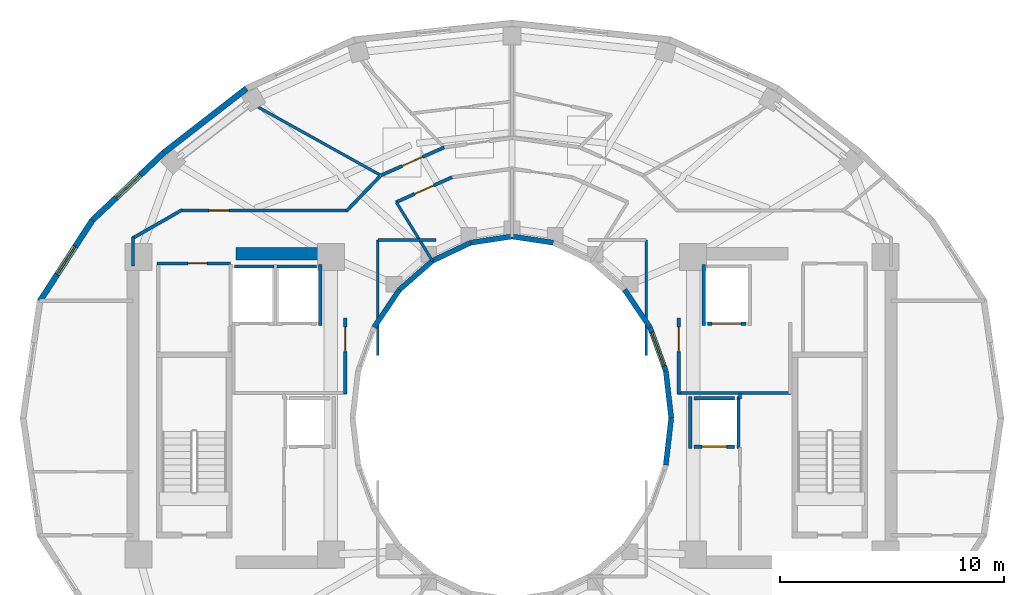
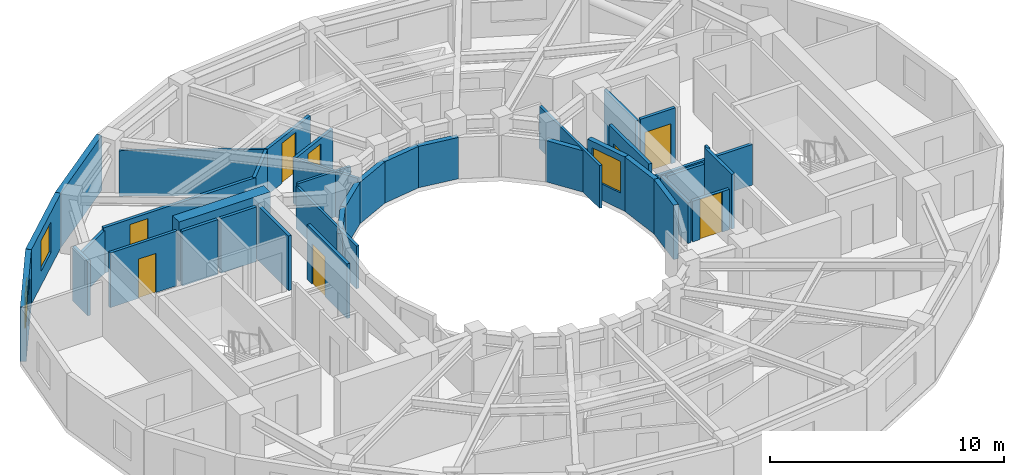
# One storey, part 5 of 9: 38 walls, 8 doors, 3 windows, 11 openings.
"""IFC4 building model written with IfcOpenShell, lengths in metres."""

from ifc_helpers import new_model, si_unit, direction, frame, frame_2d, origin, place, context, subcontext, project, spatial, rectangle, extrude, material, layer, layer_set, type_object, element, fill, save


model = new_model("IFC4")

# Units and contexts
model_context = context("Model", 3, precision=1e-05, world=origin(), true_north=direction((0.0, 1.0)))
body_context = subcontext(model_context, "Body", "Model", "MODEL_VIEW")
ifc_project = project(units=[si_unit("LENGTHUNIT", "METRE"), si_unit("AREAUNIT", "SQUARE_METRE"), si_unit("VOLUMEUNIT", "CUBIC_METRE"), si_unit("PLANEANGLEUNIT", "RADIAN"), si_unit("MASSUNIT", "GRAM", prefix="KILO")], contexts=[model_context])

# Site, building, storey
site_placement = place(None, origin())
site = spatial("IfcSite", under=ifc_project, at=site_placement, CompositionType="ELEMENT")
building_placement = place(site_placement, origin())
building = spatial("IfcBuilding", under=site, at=building_placement, Name="Solvane Sanctuary Tower", CompositionType="ELEMENT")
storey_placement = place(building_placement, frame((0.0, 0.0, 223.300048828125)))
storey = spatial("IfcBuildingStorey", under=building, at=storey_placement, Name="L68", CompositionType="ELEMENT", Elevation=223.300048828125)

# Wall
ifc_material_1 = material(Name="Concrete C50/60", Category="concrete")
ifc_layer_1 = layer(ifc_material_1, 0.550048828125, Name="Concrete C50/60")
ifc_layer_set_1 = layer_set([ifc_layer_1], Name="Concrete C50/60")
wall_type_1 = type_object("IfcWallType", Name="Wall W-CORE-550", PredefinedType="SHEAR", material=ifc_layer_set_1)
wall_1_placement = place(storey_placement, frame((19.64990234375, 30.35009765625, 0.0), z_axis=(0.0, 0.0, 1.0), x_axis=(1.0, 0.0, 0.0)))
element("IfcWall", 1, at=wall_1_placement, inside=storey, type_object=wall_type_1, Name="L68 Core Shear Wall WC-N", PredefinedType="SHEAR", context=body_context, shape_type="SweptSolid", body=[
    extrude(rectangle(XDim=4.5, YDim=0.550048828125, at=frame_2d((2.25, 0.0))), origin(), (0.0, 0.0, 1.0), 3.099853515625),
])

# Wall, opening, door
ifc_material_2 = material(Name="Acoustic Gypsum Partition Board")
ifc_layer_2 = layer(ifc_material_2, 0.14990234375, Name="Acoustic Gypsum Partition Board")
ifc_layer_set_2 = layer_set([ifc_layer_2], Name="Acoustic Gypsum Partition Board")
wall_type_2 = type_object("IfcWallType", Name="Wall W-CORR-150", PredefinedType="PARTITIONING", material=ifc_layer_set_2)
wall_2_placement = place(storey_placement, frame((24.550048828125, 24.080078125, 0.0), z_axis=(0.0, 0.0, 1.0), x_axis=(0.0, 1.0, 0.0)))
wall_2 = element("IfcWall", 2, at=wall_2_placement, inside=storey, type_object=wall_type_2, Name="L68 West Firefighting Lobby East Wall", PredefinedType="PARTITIONING", context=body_context, shape_type="SweptSolid", body=[
    extrude(rectangle(XDim=3.39990234375, YDim=0.14990234375, at=frame_2d((1.699951171875, 0.0))), origin(), (0.0, 0.0, 1.0), 2.85498046875),
])
opening_1_placement = place(wall_2_placement, frame((1.893798828125, 0.0, 0.0)))
opening_1 = element("IfcOpeningElement", 3, at=opening_1_placement, cuts=wall_2, Name="Opening D-L68-03", PredefinedType="OPENING", context=body_context, shape_type="SweptSolid", body=[
    extrude(rectangle(XDim=1.10009765625, YDim=2.10009765625, at=frame_2d((0.550048828125, 1.050048828125))), frame((0.0, 0.0849609375, 0.0), z_axis=(0.0, -1.0, 0.0), x_axis=(1.0, 0.0, 0.0)), (0.0, 0.0, 1.0), 0.169921875),
])
ifc_material_3 = material(Name="Architectural Stainless Steel 316", Category="steel")
door_type_1 = type_object("IfcDoorType", Name="Door D-FFL", OperationType="NOTDEFINED", PredefinedType="DOOR", material=ifc_material_3)
door_1_placement = place(opening_1_placement, origin())
door_1 = element("IfcDoor", 4, at=door_1_placement, inside=storey, type_object=door_type_1, Name="L68 West Firefighting Lobby Fire Door", OperationType="SINGLE_SWING_RIGHT", OverallHeight=2.10009765625, OverallWidth=1.10009765625, PredefinedType="DOOR", context=body_context, shape_type="SweptSolid", body=[
    extrude(rectangle(XDim=1.10009765625, YDim=2.10009765625, at=frame_2d((0.550048828125, 1.050048828125))), frame((0.0, 0.02490234375, 0.0), z_axis=(0.0, -1.0, 0.0), x_axis=(1.0, 0.0, 0.0)), (0.0, 0.0, 1.0), 0.050048828125),
])
fill(opening_1, door_1)

# Wall
wall_3_placement = place(storey_placement, frame((39.39990234375, 24.1201171875, 0.0), z_axis=(0.0, 0.0, 1.0), x_axis=(1.0, 0.0, 0.0)))
element("IfcWall", 5, at=wall_3_placement, inside=storey, type_object=wall_type_2, Name="L68 East Firefighting Lobby South Wall", PredefinedType="PARTITIONING", context=body_context, shape_type="SweptSolid", body=[
    extrude(rectangle(XDim=5.080078125, YDim=0.14990234375, at=frame_2d((2.5400390625, 0.0))), origin(), (0.0, 0.0, 1.0), 2.119873046875),
])

# Wall, opening, door
wall_4_placement = place(storey_placement, frame((39.449951171875, 24.080078125, 0.0), z_axis=(0.0, 0.0, 1.0), x_axis=(0.0, 1.0, 0.0)))
wall_4 = element("IfcWall", 6, at=wall_4_placement, inside=storey, type_object=wall_type_2, Name="L68 East Firefighting Lobby West Wall", PredefinedType="PARTITIONING", context=body_context, shape_type="SweptSolid", body=[
    extrude(rectangle(XDim=3.39990234375, YDim=0.14990234375, at=frame_2d((1.699951171875, 0.0))), origin(), (0.0, 0.0, 1.0), 2.85498046875),
])
opening_2_placement = place(wall_4_placement, frame((1.893798828125, 0.0, 0.0)))
opening_2 = element("IfcOpeningElement", 7, at=opening_2_placement, cuts=wall_4, Name="Opening D-L68-04", PredefinedType="OPENING", context=body_context, shape_type="SweptSolid", body=[
    extrude(rectangle(XDim=1.10009765625, YDim=2.10009765625, at=frame_2d((0.550048828125, 1.050048828125))), frame((0.0, 0.0849609375, 0.0), z_axis=(0.0, -1.0, 0.0), x_axis=(1.0, 0.0, 0.0)), (0.0, 0.0, 1.0), 0.169921875),
])
door_2_placement = place(opening_2_placement, origin())
door_2 = element("IfcDoor", 8, at=door_2_placement, inside=storey, type_object=door_type_1, Name="L68 East Firefighting Lobby Fire Door", OperationType="SINGLE_SWING_LEFT", OverallHeight=2.10009765625, OverallWidth=1.10009765625, PredefinedType="DOOR", context=body_context, shape_type="SweptSolid", body=[
    extrude(rectangle(XDim=1.10009765625, YDim=2.10009765625, at=frame_2d((0.550048828125, 1.050048828125))), frame((0.0, 0.02490234375, 0.0), z_axis=(0.0, -1.0, 0.0), x_axis=(1.0, 0.0, 0.0)), (0.0, 0.0, 1.0), 0.050048828125),
])
fill(opening_2, door_2)

wall_5_placement = place(storey_placement, frame((29.322998046875, 33.7705078125, 0.0), z_axis=(0.0, 0.0, 1.0), x_axis=(-0.913120130558, -0.407690602257, 0.0)))
wall_5 = element("IfcWall", 9, at=wall_5_placement, inside=storey, type_object=wall_type_2, Name="L68 Light-Well Alcove Corridor Wall 2", PredefinedType="PARTITIONING", context=body_context, shape_type="SweptSolid", body=[
    extrude(rectangle(XDim=2.74267578125, YDim=0.14990234375, at=frame_2d((1.371337890625, 0.0))), origin(), (0.0, 0.0, 1.0), 2.3759765625),
])
opening_3_placement = place(wall_5_placement, frame((0.896240234375, 0.0, 0.0)))
opening_3 = element("IfcOpeningElement", 10, at=opening_3_placement, cuts=wall_5, Name="Opening D-L68-10", PredefinedType="OPENING", context=body_context, shape_type="SweptSolid", body=[
    extrude(rectangle(XDim=0.949951171875, YDim=2.10009765625, at=frame_2d((0.47509765625, 1.050048828125))), frame((0.0, 0.0849609375, 0.0), z_axis=(0.0, -1.0, 0.0), x_axis=(1.0, 0.0, 0.0)), (0.0, 0.0, 1.0), 0.169921875),
])
ifc_material_4 = material(Name="Engineered Tropical Hardwood", Category="wood")
door_type_2 = type_object("IfcDoorType", Name="Door D-ROOM-950", OperationType="NOTDEFINED", PredefinedType="DOOR", material=ifc_material_4)
door_3_placement = place(opening_3_placement, origin())
door_3 = element("IfcDoor", 11, at=door_3_placement, inside=storey, type_object=door_type_2, Name="L68 Light-Well Alcove Door 2", OperationType="SINGLE_SWING_LEFT", OverallHeight=2.10009765625, OverallWidth=0.949951171875, PredefinedType="DOOR", context=body_context, shape_type="SweptSolid", body=[
    extrude(rectangle(XDim=0.949951171875, YDim=2.10009765625, at=frame_2d((0.47509765625, 1.050048828125))), frame((0.0, 0.02490234375, 0.0), z_axis=(0.0, -1.0, 0.0), x_axis=(1.0, 0.0, 0.0)), (0.0, 0.0, 1.0), 0.050048828125),
])
fill(opening_3, door_3)

# Walls
wall_6_placement = place(storey_placement, frame((15.050048828125, 29.800048828125, 0.0), z_axis=(0.0, 0.0, 1.0), x_axis=(0.0, 1.0, 0.0)))
element("IfcWall", 12, at=wall_6_placement, inside=storey, type_object=wall_type_2, Name="L68 NW Corner Closer 1", PredefinedType="PARTITIONING", context=body_context, shape_type="SweptSolid", body=[
    extrude(rectangle(XDim=1.2900390625, YDim=0.14990234375, at=frame_2d((0.64501953125, 0.0))), origin(), (0.0, 0.0, 1.0), 2.85498046875),
])
wall_7_placement = place(storey_placement, frame((26.0966796875, 33.811767578125, 0.0), z_axis=(0.0, 0.0, 1.0), x_axis=(-0.694032962553, -0.719943224768, 0.0)))
element("IfcWall", 13, at=wall_7_placement, inside=storey, type_object=wall_type_2, Name="L68 NW Corner Throat Wall", PredefinedType="PARTITIONING", context=body_context, shape_type="SweptSolid", body=[
    extrude(rectangle(XDim=2.15771484375, YDim=0.14990234375, at=frame_2d((1.078857421875, 0.0))), origin(), (0.0, 0.0, 1.0), 2.3759765625),
])

# Wall, opening, door
wall_8_placement = place(storey_placement, frame((17.14990234375, 32.280029296875, 0.0), z_axis=(0.0, 0.0, 1.0), x_axis=(1.0, 0.0, 0.0)))
wall_8 = element("IfcWall", 14, at=wall_8_placement, inside=storey, type_object=wall_type_2, Name="L68 NW Corner Corridor Wall", PredefinedType="PARTITIONING", context=body_context, shape_type="SweptSolid", body=[
    extrude(rectangle(XDim=7.52001953125, YDim=0.14990234375, at=frame_2d((3.760009765625, 0.0))), origin(), (0.0, 0.0, 1.0), 2.3759765625),
])
opening_4_placement = place(wall_8_placement, frame((1.300048828125, 0.0, 0.0)))
opening_4 = element("IfcOpeningElement", 15, at=opening_4_placement, cuts=wall_8, Name="Opening D-L68-19", PredefinedType="OPENING", context=body_context, shape_type="SweptSolid", body=[
    extrude(rectangle(XDim=0.89990234375, YDim=2.10009765625, at=frame_2d((0.449951171875, 1.050048828125))), frame((0.0, 0.0849609375, 0.0), z_axis=(0.0, -1.0, 0.0), x_axis=(1.0, 0.0, 0.0)), (0.0, 0.0, 1.0), 0.169921875),
])
door_type_3 = type_object("IfcDoorType", Name="Door D-WET-900", OperationType="NOTDEFINED", PredefinedType="DOOR", material=ifc_material_4)
door_4_placement = place(opening_4_placement, origin())
door_4 = element("IfcDoor", 16, at=door_4_placement, inside=storey, type_object=door_type_3, Name="L68 NW Corner Salon Door", OperationType="SINGLE_SWING_RIGHT", OverallHeight=2.10009765625, OverallWidth=0.89990234375, PredefinedType="DOOR", context=body_context, shape_type="SweptSolid", body=[
    extrude(rectangle(XDim=0.89990234375, YDim=2.10009765625, at=frame_2d((0.449951171875, 1.050048828125))), frame((0.0, 0.02490234375, 0.0), z_axis=(0.0, -1.0, 0.0), x_axis=(1.0, 0.0, 0.0)), (0.0, 0.0, 1.0), 0.050048828125),
])
fill(opening_4, door_4)

# Wall
wall_9_placement = place(storey_placement, frame((17.243408203125, 32.3046875, 0.0), z_axis=(0.0, 0.0, 1.0), x_axis=(-0.867991349648, -0.496579315857, 0.0)))
element("IfcWall", 17, at=wall_9_placement, inside=storey, type_object=wall_type_2, Name="L68 NW Corner Wing Wall", PredefinedType="PARTITIONING", context=body_context, shape_type="SweptSolid", body=[
    extrude(rectangle(XDim=2.56689453125, YDim=0.14990234375, at=frame_2d((1.283447265625, 0.0))), origin(), (0.0, 0.0, 1.0), 2.219970703125),
])

# Wall, opening, door
wall_10_placement = place(storey_placement, frame((28.971923828125, 35.105224609375, 0.0), z_axis=(0.0, 0.0, 1.0), x_axis=(-0.914490094652, -0.40460828808, 0.0)))
wall_10 = element("IfcWall", 18, at=wall_10_placement, inside=storey, type_object=wall_type_2, Name="L68 Unit Corridor Wall N3", PredefinedType="PARTITIONING", context=body_context, shape_type="SweptSolid", body=[
    extrude(rectangle(XDim=3.10986328125, YDim=0.14990234375, at=frame_2d((1.554931640625, 0.0))), origin(), (0.0, 0.0, 1.0), 2.3759765625),
])
opening_5_placement = place(wall_10_placement, frame((1.054931640625, 0.0, 0.0)))
opening_5 = element("IfcOpeningElement", 19, at=opening_5_placement, cuts=wall_10, Name="Opening D-L68-26", PredefinedType="OPENING", context=body_context, shape_type="SweptSolid", body=[
    extrude(rectangle(XDim=1.0, YDim=2.10009765625, at=frame_2d((0.5, 1.050048828125))), frame((0.0, 0.0849609375, 0.0), z_axis=(0.0, -1.0, 0.0), x_axis=(1.0, 0.0, 0.0)), (0.0, 0.0, 1.0), 0.169921875),
])
door_type_4 = type_object("IfcDoorType", Name="Door D-UNIT", OperationType="NOTDEFINED", PredefinedType="DOOR", material=ifc_material_4)
door_5_placement = place(opening_5_placement, origin())
door_5 = element("IfcDoor", 20, at=door_5_placement, inside=storey, type_object=door_type_4, Name="L68 Unit Entrance Door N3", OperationType="SINGLE_SWING_LEFT", OverallHeight=2.10009765625, OverallWidth=1.0, PredefinedType="DOOR", context=body_context, shape_type="SweptSolid", body=[
    extrude(rectangle(XDim=1.0, YDim=2.10009765625, at=frame_2d((0.5, 1.050048828125))), frame((0.0, 0.02490234375, 0.0), z_axis=(0.0, -1.0, 0.0), x_axis=(1.0, 0.0, 0.0)), (0.0, 0.0, 1.0), 0.050048828125),
])
fill(opening_5, door_5)

# Wall
ifc_material_5 = material(Name="Precast concrete C40/50", Category="concrete")
ifc_layer_3 = layer(ifc_material_5, 0.260009765625, Name="Precast concrete C40/50")
ifc_layer_set_3 = layer_set([ifc_layer_3], Name="Precast concrete C40/50")
wall_type_3 = type_object("IfcWallType", Name="Wall W-EXT-250", PredefinedType="STANDARD", material=ifc_layer_set_3)
wall_11_placement = place(storey_placement, frame((20.1298828125, 37.732666015625, 0.0), z_axis=(0.0, 0.0, 1.0), x_axis=(-0.790126214723, -0.612944177563, 0.0)))
element("IfcWall", 21, at=wall_11_placement, inside=storey, type_object=wall_type_3, Name="L68 Ceramic-Printed Facade Wall 08", PredefinedType="STANDARD", context=body_context, shape_type="SweptSolid", body=[
    extrude(rectangle(XDim=4.6669921875, YDim=0.260009765625, at=frame_2d((2.33349609375, 0.0))), origin(), (0.0, 0.0, 1.0), 2.849853515625),
])

# Wall, opening, window
wall_12_placement = place(storey_placement, frame((16.4423828125, 34.8720703125, 0.0), z_axis=(0.0, 0.0, 1.0), x_axis=(-0.72731899451, -0.686299555752, 0.0)))
wall_12 = element("IfcWall", 22, at=wall_12_placement, inside=storey, type_object=wall_type_3, Name="L68 Ceramic-Printed Facade Wall 09", PredefinedType="STANDARD", context=body_context, shape_type="SweptSolid", body=[
    extrude(rectangle(XDim=4.404296875, YDim=0.260009765625, at=frame_2d((2.2021484375, 0.0))), origin(), (0.0, 0.0, 1.0), 2.849853515625),
])
opening_6_placement = place(wall_12_placement, frame((1.4521484375, 0.0, 0.75)))
opening_6 = element("IfcOpeningElement", 23, at=opening_6_placement, cuts=wall_12, Name="Opening WN-OPER-1500", PredefinedType="OPENING", context=body_context, shape_type="SweptSolid", body=[
    extrude(rectangle(XDim=1.5, YDim=1.60009765625, at=frame_2d((0.75, 0.800048828125))), frame((0.0, 0.139892578125, 0.0), z_axis=(0.0, -1.0, 0.0), x_axis=(1.0, 0.0, 0.0)), (0.0, 0.0, 1.0), 0.280029296875),
])
ifc_material_6 = material(Name="Dark Ceramic-Fritted Low-E Glass", Category="glass")
window_type_1 = type_object("IfcWindowType", Name="Window WN-OPER-1500", PartitioningType="SINGLE_PANEL", PredefinedType="WINDOW", material=ifc_material_6)
window_1_placement = place(opening_6_placement, origin())
window_1 = element("IfcWindow", 24, at=window_1_placement, inside=storey, type_object=window_type_1, Name="L68 Operable Facade Window 09", OverallHeight=1.60009765625, OverallWidth=1.5, PartitioningType="SINGLE_PANEL", PredefinedType="WINDOW", context=body_context, shape_type="SweptSolid", body=[
    extrude(rectangle(XDim=1.5, YDim=1.60009765625, at=frame_2d((0.75, 0.800048828125))), frame((0.0, 0.030029296875, 0.0), z_axis=(0.0, -1.0, 0.0), x_axis=(1.0, 0.0, 0.0)), (0.0, 0.0, 1.0), 0.06005859375),
])
fill(opening_6, window_1)

wall_13_placement = place(storey_placement, frame((13.239013671875, 31.849365234375, 0.0), z_axis=(0.0, 0.0, 1.0), x_axis=(-0.544475908819, -0.838776480784, 0.0)))
wall_13 = element("IfcWall", 25, at=wall_13_placement, inside=storey, type_object=wall_type_3, Name="L68 Ceramic-Printed Facade Wall 10", PredefinedType="STANDARD", context=body_context, shape_type="SweptSolid", body=[
    extrude(rectangle(XDim=4.3046875, YDim=0.260009765625, at=frame_2d((2.15234375, 0.0))), origin(), (0.0, 0.0, 1.0), 2.849853515625),
])
opening_7_placement = place(wall_13_placement, frame((1.40234375, 0.0, 0.75)))
opening_7 = element("IfcOpeningElement", 26, at=opening_7_placement, cuts=wall_13, Name="Opening WN-OPER-1500", PredefinedType="OPENING", context=body_context, shape_type="SweptSolid", body=[
    extrude(rectangle(XDim=1.5, YDim=1.60009765625, at=frame_2d((0.75, 0.800048828125))), frame((0.0, 0.139892578125, 0.0), z_axis=(0.0, -1.0, 0.0), x_axis=(1.0, 0.0, 0.0)), (0.0, 0.0, 1.0), 0.280029296875),
])
window_2_placement = place(opening_7_placement, origin())
window_2 = element("IfcWindow", 27, at=window_2_placement, inside=storey, type_object=window_type_1, Name="L68 Operable Facade Window 10", OverallHeight=1.60009765625, OverallWidth=1.5, PartitioningType="SINGLE_PANEL", PredefinedType="WINDOW", context=body_context, shape_type="SweptSolid", body=[
    extrude(rectangle(XDim=1.5, YDim=1.60009765625, at=frame_2d((0.75, 0.800048828125))), frame((0.0, 0.030029296875, 0.0), z_axis=(0.0, -1.0, 0.0), x_axis=(1.0, 0.0, 0.0)), (0.0, 0.0, 1.0), 0.06005859375),
])
fill(opening_7, window_2)

# Wall
ifc_layer_4 = layer(ifc_material_5, 0.22998046875, Name="Precast concrete C40/50")
ifc_layer_set_4 = layer_set([ifc_layer_4], Name="Precast concrete C40/50")
wall_type_4 = type_object("IfcWallType", Name="Wall W-EXT-SP220", PredefinedType="STANDARD", material=ifc_layer_set_4)
wall_14_placement = place(storey_placement, frame((39.1201171875, 23.0, 0.0), z_axis=(0.0, 0.0, 1.0), x_axis=(-0.114711713601, 0.993398823617, 0.0)))
element("IfcWall", 28, at=wall_14_placement, inside=storey, type_object=wall_type_4, Name="L68 Central Light-Well Wall 00", PredefinedType="STANDARD", context=body_context, shape_type="SweptSolid", body=[
    extrude(rectangle(XDim=2.115478515625, YDim=0.22998046875, at=frame_2d((1.0576171875, 0.0))), origin(), (0.0, 0.0, 1.0), 2.83984375),
])

# Wall, opening, window
wall_15_placement = place(storey_placement, frame((38.87744140625, 25.1015625, 0.0), z_axis=(0.0, 0.0, 1.0), x_axis=(-0.341423187295, 0.93990968033, 0.0)))
wall_15 = element("IfcWall", 29, at=wall_15_placement, inside=storey, type_object=wall_type_4, Name="L68 Central Light-Well Wall 01", PredefinedType="STANDARD", context=body_context, shape_type="SweptSolid", body=[
    extrude(rectangle(XDim=2.083740234375, YDim=0.22998046875, at=frame_2d((1.0419921875, 0.0))), origin(), (0.0, 0.0, 1.0), 2.83984375),
])
opening_8_placement = place(wall_15_placement, frame((0.24169921875, 0.0, 0.85009765625)))
opening_8 = element("IfcOpeningElement", 30, at=opening_8_placement, cuts=wall_15, Name="Opening WN-WELL-1600", PredefinedType="OPENING", context=body_context, shape_type="SweptSolid", body=[
    extrude(rectangle(XDim=1.60009765625, YDim=1.64990234375, at=frame_2d((0.800048828125, 0.824951171875))), frame((0.0, 0.125, 0.0), z_axis=(0.0, -1.0, 0.0), x_axis=(1.0, 0.0, 0.0)), (0.0, 0.0, 1.0), 0.25),
])
ifc_material_7 = material(Name="Clear Laminated Light-Well Glass", Category="glass")
window_type_2 = type_object("IfcWindowType", Name="Window WN-WELL-1600", PartitioningType="SINGLE_PANEL", PredefinedType="WINDOW", material=ifc_material_7)
window_3_placement = place(opening_8_placement, origin())
window_3 = element("IfcWindow", 31, at=window_3_placement, inside=storey, type_object=window_type_2, Name="L68 Light-Well Daylight Window 01", OverallHeight=1.64990234375, OverallWidth=1.60009765625, PartitioningType="SINGLE_PANEL", PredefinedType="WINDOW", context=body_context, shape_type="SweptSolid", body=[
    extrude(rectangle(XDim=1.60009765625, YDim=1.64990234375, at=frame_2d((0.800048828125, 0.824951171875))), frame((0.0, 0.030029296875, 0.0), z_axis=(0.0, -1.0, 0.0), x_axis=(1.0, 0.0, 0.0)), (0.0, 0.0, 1.0), 0.06005859375),
])
fill(opening_8, window_3)

# Walls
wall_16_placement = place(storey_placement, frame((38.166015625, 27.06005859375, 0.0), z_axis=(0.0, 0.0, 1.0), x_axis=(-0.558197800898, 0.829707909492, 0.0)))
element("IfcWall", 32, at=wall_16_placement, inside=storey, type_object=wall_type_4, Name="L68 Central Light-Well Wall 02", PredefinedType="STANDARD", context=body_context, shape_type="SweptSolid", body=[
    extrude(rectangle(XDim=2.02685546875, YDim=0.22998046875, at=frame_2d((1.013427734375, 0.0))), origin(), (0.0, 0.0, 1.0), 2.159912109375),
])
for number, where, z_axis, x_axis, name in (
    (33, (33.8427734375, 30.84326171875, 0.0), (0.0, 0.0, 1.0), (-0.988901730308, 0.148571086668, 0.0), "L68 Central Light-Well Wall 05"),
    (34, (32.0, 31.1201171875, 0.0), (0.0, 0.0, 1.0), (-0.988901730308, -0.148571086668, 0.0), "L68 Central Light-Well Wall 06"),
):
    element("IfcWall", number, at=place(storey_placement, frame(where, z_axis=z_axis, x_axis=x_axis)), inside=storey, type_object=wall_type_4, Name=name, PredefinedType="STANDARD", context=body_context, shape_type="SweptSolid", body=[
        extrude(rectangle(XDim=1.863525390625, YDim=0.22998046875, at=frame_2d((0.931640625, 0.0))), origin(), (0.0, 0.0, 1.0), 2.159912109375),
    ])
wall_17_placement = place(storey_placement, frame((30.1572265625, 30.84326171875, 0.0), z_axis=(0.0, 0.0, 1.0), x_axis=(-0.904179699603, -0.427152280606, 0.0)))
element("IfcWall", 35, at=wall_17_placement, inside=storey, type_object=wall_type_4, Name="L68 Central Light-Well Wall 07", PredefinedType="STANDARD", context=body_context, shape_type="SweptSolid", body=[
    extrude(rectangle(XDim=1.899169921875, YDim=0.22998046875, at=frame_2d((0.94970703125, 0.0))), origin(), (0.0, 0.0, 1.0), 2.159912109375),
])
wall_18_placement = place(storey_placement, frame((28.43994140625, 30.031982421875, 0.0), z_axis=(0.0, 0.0, 1.0), x_axis=(-0.752576694707, -0.658504607869, 0.0)))
element("IfcWall", 36, at=wall_18_placement, inside=storey, type_object=wall_type_4, Name="L68 Central Light-Well Wall 08", PredefinedType="STANDARD", context=body_context, shape_type="SweptSolid", body=[
    extrude(rectangle(XDim=1.95947265625, YDim=0.22998046875, at=frame_2d((0.979736328125, 0.0))), origin(), (0.0, 0.0, 1.0), 2.159912109375),
])
wall_19_placement = place(storey_placement, frame((26.96533203125, 28.74169921875, 0.0), z_axis=(0.0, 0.0, 1.0), x_axis=(-0.558197800898, -0.829707909492, 0.0)))
element("IfcWall", 37, at=wall_19_placement, inside=storey, type_object=wall_type_4, Name="L68 Central Light-Well Wall 09", PredefinedType="STANDARD", context=body_context, shape_type="SweptSolid", body=[
    extrude(rectangle(XDim=2.02685546875, YDim=0.22998046875, at=frame_2d((1.013427734375, 0.0))), origin(), (0.0, 0.0, 1.0), 2.159912109375),
])
wall_20_placement = place(storey_placement, frame((38.87744140625, 20.8984375, 0.0), z_axis=(0.0, 0.0, 1.0), x_axis=(0.114711713601, 0.993398823617, 0.0)))
element("IfcWall", 38, at=wall_20_placement, inside=storey, type_object=wall_type_4, Name="L68 Central Light-Well Wall 23", PredefinedType="STANDARD", context=body_context, shape_type="SweptSolid", body=[
    extrude(rectangle(XDim=2.115478515625, YDim=0.22998046875, at=frame_2d((1.0576171875, 0.0))), origin(), (0.0, 0.0, 1.0), 2.83984375),
])
ifc_layer_5 = layer(ifc_material_2, 0.125, Name="Acoustic Gypsum Partition Board")
ifc_layer_set_5 = layer_set([ifc_layer_5], Name="Acoustic Gypsum Partition Board")
wall_type_5 = type_object("IfcWallType", Name="Wall W-PART-125", PredefinedType="PARTITIONING", material=ifc_layer_set_5)
wall_21_placement = place(storey_placement, frame((42.199951171875, 23.85009765625, 0.0), z_axis=(0.0, 0.0, 1.0), x_axis=(0.0, 1.0, 0.0)))
element("IfcWall", 39, at=wall_21_placement, inside=storey, type_object=wall_type_5, Name="L68 Reclaimed Room Dividing Wall PME", PredefinedType="PARTITIONING", context=body_context, shape_type="SweptSolid", body=[
    extrude(rectangle(XDim=0.25, YDim=0.125, at=frame_2d((0.125, 0.0))), origin(), (0.0, 0.0, 1.0), 2.85498046875),
])
wall_22_placement = place(storey_placement, frame((28.449951171875, 30.014892578125, 0.0), z_axis=(0.0, 0.0, 1.0), x_axis=(-0.523992004803, 0.851723182086, 0.0)))
element("IfcWall", 40, at=wall_22_placement, inside=storey, type_object=wall_type_5, Name="L68 Light-Well Alcove Radial Wall 120", PredefinedType="PARTITIONING", context=body_context, shape_type="SweptSolid", body=[
    extrude(rectangle(XDim=3.10107421875, YDim=0.125, at=frame_2d((1.550537109375, 0.0))), origin(), (0.0, 0.0, 1.0), 2.3759765625),
])
wall_23_placement = place(storey_placement, frame((26.0, 25.800048828125, 0.0), z_axis=(0.0, 0.0, 1.0), x_axis=(0.0, 1.0, 0.0)))
element("IfcWall", 41, at=wall_23_placement, inside=storey, type_object=wall_type_5, Name="L68 Bridge Alcove Wall 1", PredefinedType="PARTITIONING", context=body_context, shape_type="SweptSolid", body=[
    extrude(rectangle(XDim=5.159912109375, YDim=0.125, at=frame_2d((2.580078125, 0.0))), origin(), (0.0, 0.0, 1.0), 2.23193359375),
])
wall_24_placement = place(storey_placement, frame((26.0, 30.9599609375, 0.0), z_axis=(0.0, 0.0, 1.0), x_axis=(1.0, 0.0, 0.0)))
element("IfcWall", 42, at=wall_24_placement, inside=storey, type_object=wall_type_5, Name="L68 Bridge Alcove Wall 2", PredefinedType="PARTITIONING", context=body_context, shape_type="SweptSolid", body=[
    extrude(rectangle(XDim=2.60009765625, YDim=0.125, at=frame_2d((1.300048828125, 0.0))), origin(), (0.0, 0.0, 1.0), 2.3759765625),
])
wall_25_placement = place(storey_placement, frame((38.0, 25.800048828125, 0.0), z_axis=(0.0, 0.0, 1.0), x_axis=(0.0, 1.0, 0.0)))
element("IfcWall", 43, at=wall_25_placement, inside=storey, type_object=wall_type_5, Name="L68 Bridge Alcove Wall 3", PredefinedType="PARTITIONING", context=body_context, shape_type="SweptSolid", body=[
    extrude(rectangle(XDim=5.159912109375, YDim=0.125, at=frame_2d((2.580078125, 0.0))), origin(), (0.0, 0.0, 1.0), 2.23193359375),
])
wall_26_placement = place(storey_placement, frame((26.0869140625, 33.8779296875, 0.0), z_axis=(0.0, 0.0, 1.0), x_axis=(-0.87377679808, 0.486327160599, 0.0)))
element("IfcWall", 44, at=wall_26_placement, inside=storey, type_object=wall_type_5, Name="L68 Radial Compartment Wall 120", PredefinedType="PARTITIONING", context=body_context, shape_type="SweptSolid", body=[
    extrude(rectangle(XDim=6.239501953125, YDim=0.125, at=frame_2d((3.11962890625, 0.0))), origin(), (0.0, 0.0, 1.0), 2.3759765625),
])

# Wall, opening, door
ifc_layer_6 = layer(ifc_material_1, 0.14990234375, Name="Concrete C50/60")
ifc_layer_set_6 = layer_set([ifc_layer_6], Name="Concrete C50/60")
wall_type_6 = type_object("IfcWallType", Name="Wall W-SHAFT-150", PredefinedType="SOLIDWALL", material=ifc_layer_set_6)
wall_27_placement = place(storey_placement, frame((40.139892578125, 21.719970703125, 0.0), z_axis=(0.0, 0.0, 1.0), x_axis=(1.0, 0.0, 0.0)))
wall_27 = element("IfcWall", 45, at=wall_27_placement, inside=storey, type_object=wall_type_6, Name="L68 PH-2 Lift Shaft Wall F", PredefinedType="SOLIDWALL", context=body_context, shape_type="SweptSolid", body=[
    extrude(rectangle(XDim=1.820068359375, YDim=0.14990234375, at=frame_2d((0.91015625, 0.0))), origin(), (0.0, 0.0, 1.0), 2.119873046875),
])
opening_9_placement = place(wall_27_placement, frame((0.360107421875, 0.0, 0.0)))
opening_9 = element("IfcOpeningElement", 46, at=opening_9_placement, cuts=wall_27, Name="Opening LD-L68-02", PredefinedType="OPENING", context=body_context, shape_type="SweptSolid", body=[
    extrude(rectangle(XDim=1.10009765625, YDim=2.10009765625, at=frame_2d((0.550048828125, 1.050048828125))), frame((0.0, 0.0849609375, 0.0), z_axis=(0.0, -1.0, 0.0), x_axis=(1.0, 0.0, 0.0)), (0.0, 0.0, 1.0), 0.169921875),
])
door_type_5 = type_object("IfcDoorType", Name="Door LD-PASS-1100", OperationType="NOTDEFINED", PredefinedType="DOOR", material=ifc_material_3)
door_6_placement = place(opening_9_placement, origin())
door_6 = element("IfcDoor", 47, at=door_6_placement, inside=storey, type_object=door_type_5, Name="L68 PH-2 Lift Landing Door", OperationType="DOUBLE_DOOR_SLIDING", OverallHeight=2.10009765625, OverallWidth=1.10009765625, PredefinedType="DOOR", context=body_context, shape_type="SweptSolid", body=[
    extrude(rectangle(XDim=1.10009765625, YDim=2.10009765625, at=frame_2d((0.550048828125, 1.050048828125))), frame((0.0, 0.02490234375, 0.0), z_axis=(0.0, -1.0, 0.0), x_axis=(1.0, 0.0, 0.0)), (0.0, 0.0, 1.0), 0.050048828125),
])
fill(opening_9, door_6)

# Walls
wall_28_placement = place(storey_placement, frame((40.139892578125, 23.8798828125, 0.0), z_axis=(0.0, 0.0, 1.0), x_axis=(1.0, 0.0, 0.0)))
element("IfcWall", 48, at=wall_28_placement, inside=storey, type_object=wall_type_6, Name="L68 PH-2 Lift Shaft Wall B", PredefinedType="SOLIDWALL", context=body_context, shape_type="SweptSolid", body=[
    extrude(rectangle(XDim=1.820068359375, YDim=0.14990234375, at=frame_2d((0.91015625, 0.0))), origin(), (0.0, 0.0, 1.0), 2.119873046875),
])
wall_29_placement = place(storey_placement, frame((39.969970703125, 21.639892578125, 0.0), z_axis=(0.0, 0.0, 1.0), x_axis=(0.0, 1.0, 0.0)))
element("IfcWall", 49, at=wall_29_placement, inside=storey, type_object=wall_type_6, Name="L68 PH-2 Lift Shaft Wall S1", PredefinedType="SOLIDWALL", context=body_context, shape_type="SweptSolid", body=[
    extrude(rectangle(XDim=2.320068359375, YDim=0.14990234375, at=frame_2d((1.16015625, 0.0))), origin(), (0.0, 0.0, 1.0), 2.119873046875),
])
wall_30_placement = place(storey_placement, frame((42.1298828125, 21.639892578125, 0.0), z_axis=(0.0, 0.0, 1.0), x_axis=(0.0, 1.0, 0.0)))
element("IfcWall", 50, at=wall_30_placement, inside=storey, type_object=wall_type_6, Name="L68 PH-2 Lift Shaft Wall S2", PredefinedType="SOLIDWALL", context=body_context, shape_type="SweptSolid", body=[
    extrude(rectangle(XDim=2.320068359375, YDim=0.14990234375, at=frame_2d((1.16015625, 0.0))), origin(), (0.0, 0.0, 1.0), 2.85498046875),
])
for number, where, z_axis, x_axis, name in (
    (51, (19.590087890625, 29.780029296875, 0.0), (0.0, 0.0, 1.0), (1.0, 0.0, 0.0), "L68 FFL-1 Lift Shaft Wall B"),
    (52, (21.5, 29.780029296875, 0.0), (0.0, 0.0, 1.0), (1.0, 0.0, 0.0), "L68 SVL-1 Lift Shaft Wall B"),
):
    element("IfcWall", number, at=place(storey_placement, frame(where, z_axis=z_axis, x_axis=x_axis)), inside=storey, type_object=wall_type_6, Name=name, PredefinedType="SOLIDWALL", context=body_context, shape_type="SweptSolid", body=[
        extrude(rectangle(XDim=1.760009765625, YDim=0.14990234375, at=frame_2d((0.8798828125, 0.0))), origin(), (0.0, 0.0, 1.0), 2.85498046875),
    ])
wall_31_placement = place(storey_placement, frame((23.429931640625, 27.139892578125, 0.0), z_axis=(0.0, 0.0, 1.0), x_axis=(0.0, 1.0, 0.0)))
element("IfcWall", 53, at=wall_31_placement, inside=storey, type_object=wall_type_6, Name="L68 SVL-1 Lift Shaft Wall S2", PredefinedType="SOLIDWALL", context=body_context, shape_type="SweptSolid", body=[
    extrude(rectangle(XDim=2.72021484375, YDim=0.14990234375, at=frame_2d((1.360107421875, 0.0))), origin(), (0.0, 0.0, 1.0), 2.85498046875),
])

# Wall, opening, door
wall_32_placement = place(storey_placement, frame((40.739990234375, 27.219970703125, 0.0), z_axis=(0.0, 0.0, 1.0), x_axis=(1.0, 0.0, 0.0)))
wall_32 = element("IfcWall", 54, at=wall_32_placement, inside=storey, type_object=wall_type_6, Name="L68 FFL-2 Lift Shaft Wall F", PredefinedType="SOLIDWALL", context=body_context, shape_type="SweptSolid", body=[
    extrude(rectangle(XDim=1.719970703125, YDim=0.14990234375, at=frame_2d((0.85986328125, 0.0))), origin(), (0.0, 0.0, 1.0), 2.85498046875),
])
opening_10_placement = place(wall_32_placement, frame((0.2099609375, 0.0, 0.0)))
opening_10 = element("IfcOpeningElement", 55, at=opening_10_placement, cuts=wall_32, Name="Opening LD-L68-05", PredefinedType="OPENING", context=body_context, shape_type="SweptSolid", body=[
    extrude(rectangle(XDim=1.300048828125, YDim=2.10009765625, at=frame_2d((0.64990234375, 1.050048828125))), frame((0.0, 0.0849609375, 0.0), z_axis=(0.0, -1.0, 0.0), x_axis=(1.0, 0.0, 0.0)), (0.0, 0.0, 1.0), 0.169921875),
])
door_type_6 = type_object("IfcDoorType", Name="Door LD-FFL-1300", OperationType="NOTDEFINED", PredefinedType="DOOR", material=ifc_material_3)
door_7_placement = place(opening_10_placement, origin())
door_7 = element("IfcDoor", 56, at=door_7_placement, inside=storey, type_object=door_type_6, Name="L68 FFL-2 Lift Landing Door", OperationType="DOUBLE_DOOR_SLIDING", OverallHeight=2.10009765625, OverallWidth=1.300048828125, PredefinedType="DOOR", context=body_context, shape_type="SweptSolid", body=[
    extrude(rectangle(XDim=1.300048828125, YDim=2.10009765625, at=frame_2d((0.64990234375, 1.050048828125))), frame((0.0, 0.02490234375, 0.0), z_axis=(0.0, -1.0, 0.0), x_axis=(1.0, 0.0, 0.0)), (0.0, 0.0, 1.0), 0.050048828125),
])
fill(opening_10, door_7)

# Wall
wall_33_placement = place(storey_placement, frame((40.570068359375, 27.139892578125, 0.0), z_axis=(0.0, 0.0, 1.0), x_axis=(0.0, 1.0, 0.0)))
element("IfcWall", 57, at=wall_33_placement, inside=storey, type_object=wall_type_6, Name="L68 FFL-2 Lift Shaft Wall S1", PredefinedType="SOLIDWALL", context=body_context, shape_type="SweptSolid", body=[
    extrude(rectangle(XDim=2.72021484375, YDim=0.14990234375, at=frame_2d((1.360107421875, 0.0))), origin(), (0.0, 0.0, 1.0), 2.85498046875),
])

# Wall, opening, door
ifc_layer_7 = layer(ifc_material_2, 0.139892578125, Name="Acoustic Gypsum Partition Board")
ifc_layer_set_7 = layer_set([ifc_layer_7], Name="Acoustic Gypsum Partition Board")
wall_type_7 = type_object("IfcWallType", Name="Wall W-WET-140", PredefinedType="PLUMBINGWALL", material=ifc_layer_set_7)
wall_34_placement = place(storey_placement, frame((16.1201171875, 29.919921875, 0.0), z_axis=(0.0, 0.0, 1.0), x_axis=(1.0, 0.0, 0.0)))
wall_34 = element("IfcWall", 58, at=wall_34_placement, inside=storey, type_object=wall_type_7, Name="L68 Core Service Front Wall KW0", PredefinedType="PLUMBINGWALL", context=body_context, shape_type="SweptSolid", body=[
    extrude(rectangle(XDim=3.2998046875, YDim=0.139892578125, at=frame_2d((1.64990234375, 0.0))), origin(), (0.0, 0.0, 1.0), 2.85498046875),
])
opening_11_placement = place(wall_34_placement, frame((1.3994140625, 0.0, 0.0)))
opening_11 = element("IfcOpeningElement", 59, at=opening_11_placement, cuts=wall_34, Name="Opening D-L68-07", PredefinedType="OPENING", context=body_context, shape_type="SweptSolid", body=[
    extrude(rectangle(XDim=0.85009765625, YDim=2.050048828125, at=frame_2d((0.425048828125, 1.02490234375))), frame((0.0, 0.079833984375, 0.0), z_axis=(0.0, -1.0, 0.0), x_axis=(1.0, 0.0, 0.0)), (0.0, 0.0, 1.0), 0.159912109375),
])
door_type_7 = type_object("IfcDoorType", Name="Door D-RISER", OperationType="NOTDEFINED", PredefinedType="DOOR", material=ifc_material_3)
door_8_placement = place(opening_11_placement, origin())
door_8 = element("IfcDoor", 60, at=door_8_placement, inside=storey, type_object=door_type_7, Name="L68 Core Service Room Door KW0-1", OperationType="SINGLE_SWING_RIGHT", OverallHeight=2.050048828125, OverallWidth=0.85009765625, PredefinedType="DOOR", context=body_context, shape_type="SweptSolid", body=[
    extrude(rectangle(XDim=0.85009765625, YDim=2.050048828125, at=frame_2d((0.425048828125, 1.02490234375))), frame((0.0, 0.02490234375, 0.0), z_axis=(0.0, -1.0, 0.0), x_axis=(1.0, 0.0, 0.0)), (0.0, 0.0, 1.0), 0.050048828125),
])
fill(opening_11, door_8)

save(model, "model.ifc")
